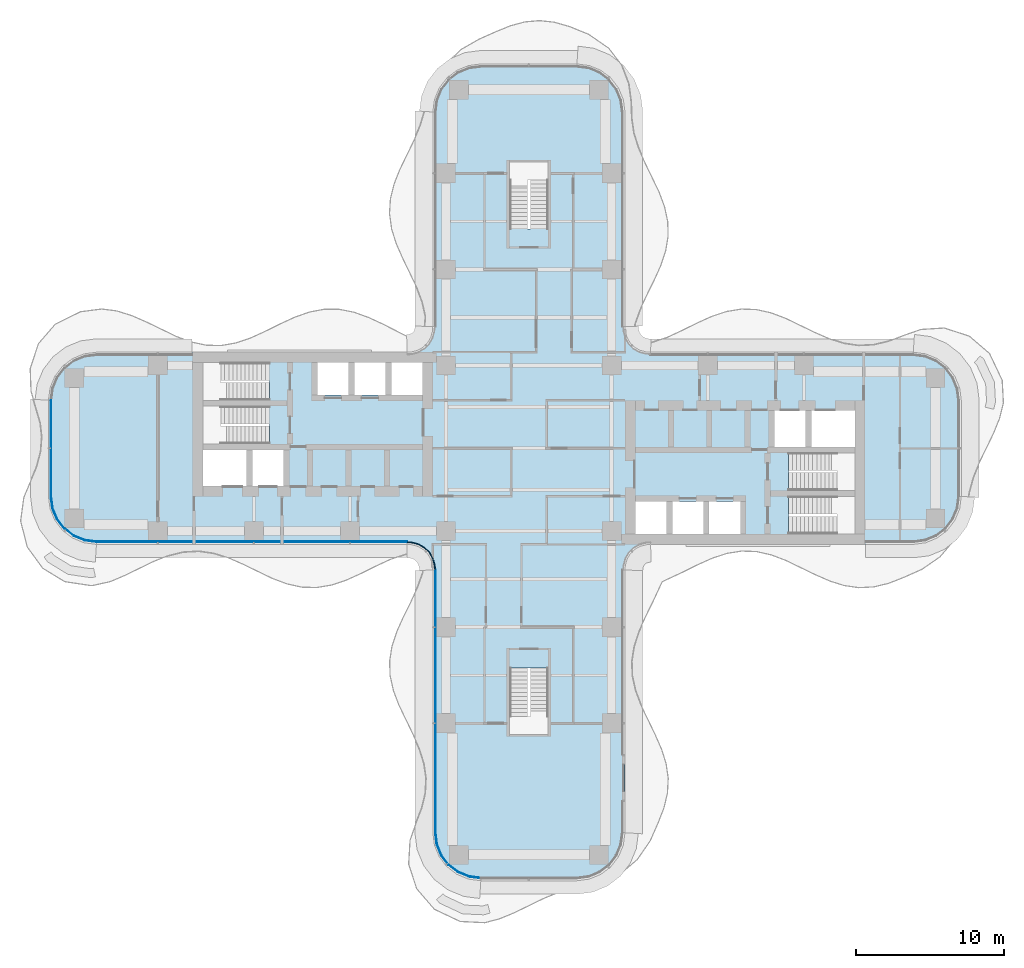
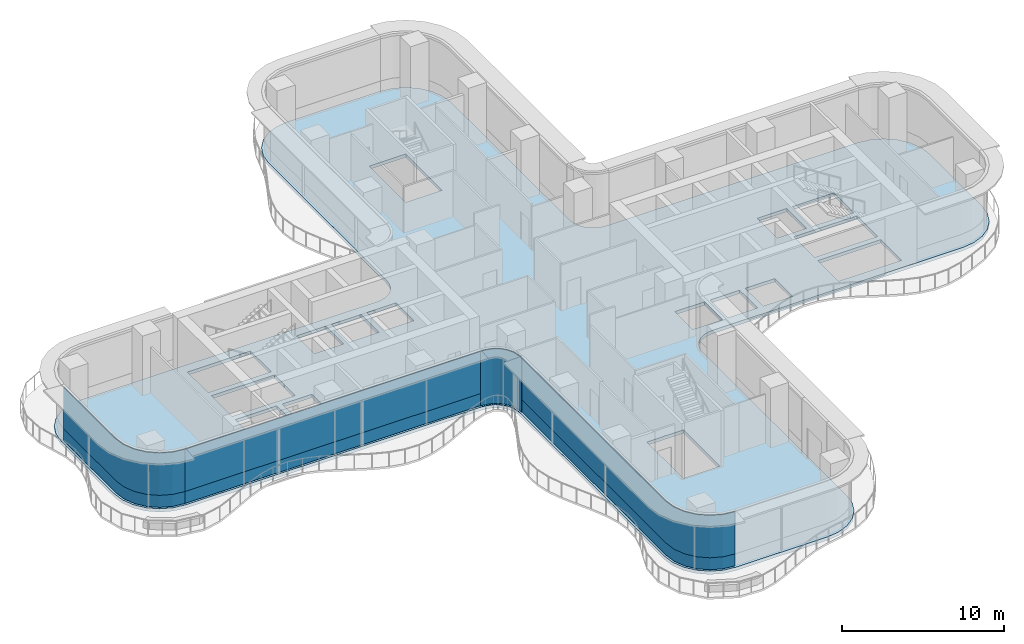
# One storey, part 13 of 21: 7 plates, 1 slab, 4 elements without a shape of their own.
"""IFC4 building model written with IfcOpenShell, lengths in metres."""

from ifc_helpers import new_model, si_unit, direction, frame, origin, place, context, subcontext, project, spatial, polyline, outline, extrude, source, transform, mapped, material, layer, layer_set, type_object, element, aggregate, save


model = new_model("IFC4")

# Units and contexts
model_context = context("Model", 3, precision=1e-05, world=origin(), true_north=direction((0.0, 1.0)))
body_context = subcontext(model_context, "Body", "Model", "MODEL_VIEW")
ifc_project = project(units=[si_unit("LENGTHUNIT", "METRE"), si_unit("AREAUNIT", "SQUARE_METRE"), si_unit("VOLUMEUNIT", "CUBIC_METRE"), si_unit("PLANEANGLEUNIT", "RADIAN"), si_unit("MASSUNIT", "GRAM", prefix="KILO")], contexts=[model_context])

# Site, building, storey
site_placement = place(None, origin())
site = spatial("IfcSite", under=ifc_project, at=site_placement, CompositionType="ELEMENT")
building_placement = place(site_placement, origin())
building = spatial("IfcBuilding", under=site, at=building_placement, Name="Trellis Farm Tower", CompositionType="ELEMENT")
storey_placement = place(building_placement, frame((0.0, 0.0, 106.5)))
storey = spatial("IfcBuildingStorey", under=building, at=storey_placement, Name="L22", CompositionType="ELEMENT", Elevation=106.5)

# Slab
ifc_material_1 = material(Name="Concrete C40/50", Category="concrete")
ifc_layer_1 = layer(ifc_material_1, 0.25)
ifc_layer_set_1 = layer_set([ifc_layer_1], Name="Composite deck floor slab 250")
slab_type = type_object("IfcSlabType", Name="Composite deck floor slab 250", PredefinedType="FLOOR", material=ifc_layer_set_1)
shared_shape_1 = source(origin(), body_context, "Body", "SweptSolid", [
    extrude(outline(polyline([(-30.09130859375, -6.389404296875), (-30.875, -6.064697265625), (-31.548095703125, -5.548095703125), (-32.064697265625, -4.875), (-32.389404296875, -4.09130859375), (-32.5, -3.25), (-32.5, 3.25), (-32.389404296875, 4.09130859375), (-32.064697265625, 4.875), (-31.548095703125, 5.548095703125), (-30.875, 6.064697265625), (-30.09130859375, 6.389404296875), (-29.25, 6.5), (-8.2314453125, 6.5), (-8.01953125, 6.513916015625), (-7.91552734375, 6.527587890625), (-7.508544921875, 6.63671875), (-7.144287109375, 6.846923828125), (-6.846923828125, 7.144287109375), (-6.63671875, 7.508544921875), (-6.527587890625, 7.91552734375), (-6.513916015625, 8.01953125), (-6.5, 8.2314453125), (-6.5, 22.75), (-6.389404296875, 23.59130859375), (-6.064697265625, 24.375), (-5.548095703125, 25.048095703125), (-4.875, 25.564697265625), (-4.09130859375, 25.889404296875), (-3.25, 26.0), (3.25, 26.0), (4.09130859375, 25.889404296875), (4.875, 25.564697265625), (5.548095703125, 25.048095703125), (6.064697265625, 24.375), (6.389404296875, 23.59130859375), (6.5, 22.75), (6.5, 8.2314453125), (6.513916015625, 8.01953125), (6.527587890625, 7.91552734375), (6.63671875, 7.508544921875), (6.846923828125, 7.144287109375), (7.144287109375, 6.846923828125), (7.508544921875, 6.63671875), (7.91552734375, 6.527587890625), (8.01953125, 6.513916015625), (8.2314453125, 6.5), (26.0, 6.5), (26.84130859375, 6.389404296875), (27.625, 6.064697265625), (28.298095703125, 5.548095703125), (28.814697265625, 4.875), (29.139404296875, 4.09130859375), (29.25, 3.25), (29.25, -3.25), (29.139404296875, -4.09130859375), (28.814697265625, -4.875), (28.298095703125, -5.548095703125), (27.625, -6.064697265625), (26.84130859375, -6.389404296875), (26.0, -6.5), (8.2314453125, -6.5), (8.01953125, -6.513916015625), (7.91552734375, -6.527587890625), (7.508544921875, -6.63671875), (7.144287109375, -6.846923828125), (6.846923828125, -7.144287109375), (6.63671875, -7.508544921875), (6.527587890625, -7.91552734375), (6.513916015625, -8.01953125), (6.5, -8.2314453125), (6.5, -26.0), (6.389404296875, -26.84130859375), (6.064697265625, -27.625), (5.548095703125, -28.298095703125), (4.875, -28.814697265625), (4.09130859375, -29.139404296875), (3.25, -29.25), (-3.25, -29.25), (-4.09130859375, -29.139404296875), (-4.875, -28.814697265625), (-5.548095703125, -28.298095703125), (-6.064697265625, -27.625), (-6.389404296875, -26.84130859375), (-6.5, -26.0), (-6.5, -8.2314453125), (-6.513916015625, -8.01953125), (-6.527587890625, -7.91552734375), (-6.63671875, -7.508544921875), (-6.846923828125, -7.144287109375), (-7.144287109375, -6.846923828125), (-7.508544921875, -6.63671875), (-7.91552734375, -6.527587890625), (-8.01953125, -6.513916015625), (-8.2314453125, -6.5), (-29.25, -6.5), (-30.09130859375, -6.389404296875)]), holes=[polyline([(-22.050048828125, -0.10009765625), (-22.050048828125, -2.550048828125), (-19.10009765625, -2.550048828125), (-19.10009765625, -0.10009765625), (-22.050048828125, -0.10009765625)]), polyline([(-18.699951171875, -0.10009765625), (-18.699951171875, -2.550048828125), (-16.60009765625, -2.550048828125), (-16.60009765625, -0.10009765625), (-18.699951171875, -0.10009765625)]), polyline([(-17.56201171875, 1.64990234375), (-17.56201171875, 2.85009765625), (-22.050048828125, 2.85009765625), (-22.050048828125, 0.300048828125), (-17.56005859375, 0.300048828125), (-17.56005859375, 1.5), (-17.550048828125, 1.5), (-17.550048828125, 1.64990234375), (-17.56201171875, 1.64990234375)]), polyline([(-17.56201171875, 4.60009765625), (-17.56201171875, 5.800048828125), (-22.050048828125, 5.800048828125), (-22.050048828125, 3.25), (-17.56005859375, 3.25), (-17.56005859375, 4.449951171875), (-17.550048828125, 4.449951171875), (-17.550048828125, 4.60009765625), (-17.56201171875, 4.60009765625)]), polyline([(-14.300048828125, 5.800048828125), (-14.300048828125, 3.60009765625), (-12.199951171875, 3.60009765625), (-12.199951171875, 5.800048828125), (-14.300048828125, 5.800048828125)]), polyline([(-11.800048828125, 5.800048828125), (-11.800048828125, 3.60009765625), (-9.699951171875, 3.60009765625), (-9.699951171875, 5.800048828125), (-11.800048828125, 5.800048828125)]), polyline([(-9.300048828125, 5.800048828125), (-9.300048828125, 3.60009765625), (-7.199951171875, 3.60009765625), (-7.199951171875, 5.800048828125), (-9.300048828125, 5.800048828125)]), polyline([(0.10009765625, 14.862060546875), (1.300048828125, 14.862060546875), (1.300048828125, 19.35009765625), (-1.300048828125, 19.35009765625), (-1.300048828125, 14.860107421875), (-0.10009765625, 14.860107421875), (-0.10009765625, 14.85009765625), (0.10009765625, 14.85009765625), (0.10009765625, 14.862060546875)]), polyline([(-0.10009765625, -14.862060546875), (-1.300048828125, -14.862060546875), (-1.300048828125, -19.35009765625), (1.300048828125, -19.35009765625), (1.300048828125, -14.860107421875), (0.10009765625, -14.860107421875), (0.10009765625, -14.85009765625), (-0.10009765625, -14.85009765625), (-0.10009765625, -14.862060546875)]), polyline([(9.300048828125, -5.800048828125), (9.300048828125, -3.60009765625), (7.199951171875, -3.60009765625), (7.199951171875, -5.800048828125), (9.300048828125, -5.800048828125)]), polyline([(11.800048828125, -5.800048828125), (11.800048828125, -3.60009765625), (9.699951171875, -3.60009765625), (9.699951171875, -5.800048828125), (11.800048828125, -5.800048828125)]), polyline([(14.300048828125, -5.800048828125), (14.300048828125, -3.60009765625), (12.199951171875, -3.60009765625), (12.199951171875, -5.800048828125), (14.300048828125, -5.800048828125)]), polyline([(17.56201171875, -4.60009765625), (17.56201171875, -5.800048828125), (22.050048828125, -5.800048828125), (22.050048828125, -3.25), (17.56005859375, -3.25), (17.56005859375, -4.449951171875), (17.550048828125, -4.449951171875), (17.550048828125, -4.60009765625), (17.56201171875, -4.60009765625)]), polyline([(17.56201171875, -1.64990234375), (17.56201171875, -2.85009765625), (22.050048828125, -2.85009765625), (22.050048828125, -0.300048828125), (17.56005859375, -0.300048828125), (17.56005859375, -1.5), (17.550048828125, -1.5), (17.550048828125, -1.64990234375), (17.56201171875, -1.64990234375)]), polyline([(18.699951171875, 0.10009765625), (18.699951171875, 2.550048828125), (16.60009765625, 2.550048828125), (16.60009765625, 0.10009765625), (18.699951171875, 0.10009765625)]), polyline([(22.050048828125, 0.10009765625), (22.050048828125, 2.550048828125), (19.10009765625, 2.550048828125), (19.10009765625, 0.10009765625), (22.050048828125, 0.10009765625)])]), origin(), (0.0, 0.0, 1.0), 0.25),
])
slab_placement = place(storey_placement, frame((0.0, 0.0, -0.25)))
element("IfcSlab", 1, at=slab_placement, inside=storey, type_object=slab_type, Name="Floor slab", PredefinedType="FLOOR", context=body_context, shape_type="MappedRepresentation", body=[
    mapped(shared_shape_1, transform((0.0, 0.0, 0.0))),
])

# Curtain wall, plates
ifc_material_2 = material(Name="Aluminium and glass curtain wall", Category="aluminium")
ifc_layer_2 = layer(ifc_material_2, 0.18994140625)
ifc_layer_set_2 = layer_set([ifc_layer_2], Name="RIBBON CURTAIN WALL CW1")
curtain_wall_type_1 = type_object("IfcCurtainWallType", Name="RIBBON CURTAIN WALL CW1", PredefinedType="NOTDEFINED", material=ifc_layer_set_2)
placement_1 = place(storey_placement, origin())
curtain_wall_1 = element("IfcCurtainWall", 2, at=placement_1, inside=storey, type_object=curtain_wall_type_1, Name="CW1 001", PredefinedType="NOTDEFINED")
ifc_material_3 = material(Name="Clear insulated glass", Category="glass")
ifc_layer_3 = layer(ifc_material_3, 0.0400390625)
ifc_layer_set_3 = layer_set([ifc_layer_3], Name="CW1 GLASS PANEL 40")
plate_type_1 = type_object("IfcPlateType", Name="CW1 GLASS PANEL 40", PredefinedType="CURTAIN_PANEL", material=ifc_layer_set_3)
shared_shape_2 = source(origin(), body_context, "Body", "SweptSolid", [
    extrude(outline(polyline([(-29.240234375, -6.35009765625), (-8.2265625, -6.35009765625), (-8.22509765625, -6.31005859375), (-29.237548828125, -6.31005859375), (-29.240234375, -6.35009765625)])), origin(), (0.0, 0.0, 1.0), 3.170166015625),
])
placement_2 = place(storey_placement, frame((0.0, 0.0, 0.89990234375)))
plate_1 = element("IfcPlate", 3, at=placement_2, type_object=plate_type_1, Name="PL1 001", PredefinedType="CURTAIN_PANEL", context=body_context, shape_type="MappedRepresentation", body=[
    mapped(shared_shape_2, transform((0.0, 0.0, 0.0))),
])
ifc_material_4 = material(Name="Sandstone faced insulated panel", Category="masonry")
ifc_layer_4 = layer(ifc_material_4, 0.050048828125)
ifc_layer_set_4 = layer_set([ifc_layer_4], Name="CW1 STONE SPANDREL PANEL 50")
plate_type_2 = type_object("IfcPlateType", Name="CW1 STONE SPANDREL PANEL 50", PredefinedType="CURTAIN_PANEL", material=ifc_layer_set_4)
shared_shape_3 = source(origin(), body_context, "Body", "SweptSolid", [
    extrude(outline(polyline([(-29.240234375, -6.35009765625), (-8.2265625, -6.35009765625), (-8.224853515625, -6.300048828125), (-29.23681640625, -6.300048828125), (-29.240234375, -6.35009765625)])), origin(), (0.0, 0.0, 1.0), 0.89990234375),
])
plate_2 = element("IfcPlate", 4, at=placement_1, type_object=plate_type_2, Name="PS1 001", PredefinedType="CURTAIN_PANEL", context=body_context, shape_type="MappedRepresentation", body=[
    mapped(shared_shape_3, transform((0.0, 0.0, 0.0))),
])
aggregate(curtain_wall_1, [plate_1, plate_2])

# Curtain wall, plate
ifc_layer_5 = layer(ifc_material_2, 0.166015625)
ifc_layer_set_5 = layer_set([ifc_layer_5], Name="WINTER GARDEN CURTAIN WALL CW3")
curtain_wall_type_2 = type_object("IfcCurtainWallType", Name="WINTER GARDEN CURTAIN WALL CW3", PredefinedType="NOTDEFINED", material=ifc_layer_set_5)
curtain_wall_2 = element("IfcCurtainWall", 5, at=placement_1, inside=storey, type_object=curtain_wall_type_2, Name="CW3 001", PredefinedType="NOTDEFINED")
ifc_layer_6 = layer(ifc_material_3, 0.0458984375)
ifc_layer_set_6 = layer_set([ifc_layer_6], Name="CW3 GLASS PANEL 46")
plate_type_3 = type_object("IfcPlateType", Name="CW3 GLASS PANEL 46", PredefinedType="CURTAIN_PANEL", material=ifc_layer_set_6)
shared_shape_4 = source(origin(), body_context, "Body", "SweptSolid", [
    extrude(outline(polyline([(-8.2275390625, -6.3798828125), (-8.0078125, -6.394287109375), (-7.89208984375, -6.40966796875), (-7.462158203125, -6.52490234375), (-7.070556640625, -6.7509765625), (-6.7509765625, -7.070556640625), (-6.52490234375, -7.462158203125), (-6.40966796875, -7.89208984375), (-6.394287109375, -8.0078125), (-6.3798828125, -8.2275390625), (-6.333984375, -8.22607421875), (-6.3486328125, -8.003173828125), (-6.364501953125, -7.883056640625), (-6.48193359375, -7.4443359375), (-6.714111328125, -7.04248046875), (-7.04248046875, -6.714111328125), (-7.4443359375, -6.48193359375), (-7.883056640625, -6.364501953125), (-8.003173828125, -6.3486328125), (-8.22607421875, -6.333984375), (-8.2275390625, -6.3798828125)])), origin(), (0.0, 0.0, 1.0), 4.10009765625),
])
plate_3 = element("IfcPlate", 6, at=placement_1, type_object=plate_type_3, Name="PL3 001", PredefinedType="CURTAIN_PANEL", context=body_context, shape_type="MappedRepresentation", body=[
    mapped(shared_shape_4, transform((0.0, 0.0, 0.0))),
])
aggregate(curtain_wall_2, [plate_3])

# Curtain wall, plates
curtain_wall_3 = element("IfcCurtainWall", 7, at=placement_1, inside=storey, type_object=curtain_wall_type_1, Name="CW1 002", PredefinedType="NOTDEFINED")
shared_shape_5 = source(origin(), body_context, "Body", "SweptSolid", [
    extrude(outline(polyline([(-6.35009765625, -8.2265625), (-6.35009765625, -25.990234375), (-6.2431640625, -26.802001953125), (-5.93359375, -27.54931640625), (-5.441162109375, -28.191162109375), (-4.79931640625, -28.68359375), (-4.052001953125, -28.9931640625), (-3.240234375, -29.10009765625), (-3.237548828125, -29.06005859375), (-4.04150390625, -28.9541015625), (-4.779296875, -28.648681640625), (-5.41259765625, -28.16259765625), (-5.898681640625, -27.529296875), (-6.2041015625, -26.79150390625), (-6.31005859375, -25.987548828125), (-6.31005859375, -8.22509765625), (-6.35009765625, -8.2265625)])), origin(), (0.0, 0.0, 1.0), 3.170166015625),
])
plate_4 = element("IfcPlate", 8, at=placement_2, type_object=plate_type_1, Name="PL1 002", PredefinedType="CURTAIN_PANEL", context=body_context, shape_type="MappedRepresentation", body=[
    mapped(shared_shape_5, transform((0.0, 0.0, 0.0))),
])
shared_shape_6 = source(origin(), body_context, "Body", "SweptSolid", [
    extrude(outline(polyline([(-6.35009765625, -8.2265625), (-6.35009765625, -25.990234375), (-6.2431640625, -26.802001953125), (-5.93359375, -27.54931640625), (-5.441162109375, -28.191162109375), (-4.79931640625, -28.68359375), (-4.052001953125, -28.9931640625), (-3.240234375, -29.10009765625), (-3.23681640625, -29.050048828125), (-4.0390625, -28.9443359375), (-4.774169921875, -28.639892578125), (-5.405517578125, -28.155517578125), (-5.889892578125, -27.524169921875), (-6.1943359375, -26.7890625), (-6.300048828125, -25.98681640625), (-6.300048828125, -8.224853515625), (-6.35009765625, -8.2265625)])), origin(), (0.0, 0.0, 1.0), 0.89990234375),
])
plate_5 = element("IfcPlate", 9, at=placement_1, type_object=plate_type_2, Name="PS1 002", PredefinedType="CURTAIN_PANEL", context=body_context, shape_type="MappedRepresentation", body=[
    mapped(shared_shape_6, transform((0.0, 0.0, 0.0))),
])
aggregate(curtain_wall_3, [plate_4, plate_5])

curtain_wall_4 = element("IfcCurtainWall", 10, at=placement_1, inside=storey, type_object=curtain_wall_type_1, Name="CW1 013", PredefinedType="NOTDEFINED")
shared_shape_7 = source(origin(), body_context, "Body", "SweptSolid", [
    extrude(outline(polyline([(-32.35009765625, 3.240234375), (-32.35009765625, -3.240234375), (-32.2431640625, -4.052001953125), (-31.93359375, -4.79931640625), (-31.441162109375, -5.441162109375), (-30.79931640625, -5.93359375), (-30.052001953125, -6.2431640625), (-29.240234375, -6.35009765625), (-29.237548828125, -6.31005859375), (-30.04150390625, -6.2041015625), (-30.779296875, -5.898681640625), (-31.41259765625, -5.41259765625), (-31.898681640625, -4.779296875), (-32.2041015625, -4.04150390625), (-32.31005859375, -3.237548828125), (-32.31005859375, 3.237548828125), (-32.35009765625, 3.240234375)])), origin(), (0.0, 0.0, 1.0), 3.170166015625),
])
plate_6 = element("IfcPlate", 11, at=placement_2, type_object=plate_type_1, Name="PL1 013", PredefinedType="CURTAIN_PANEL", context=body_context, shape_type="MappedRepresentation", body=[
    mapped(shared_shape_7, transform((0.0, 0.0, 0.0))),
])
shared_shape_8 = source(origin(), body_context, "Body", "SweptSolid", [
    extrude(outline(polyline([(-32.35009765625, 3.240234375), (-32.35009765625, -3.240234375), (-32.2431640625, -4.052001953125), (-31.93359375, -4.79931640625), (-31.441162109375, -5.441162109375), (-30.79931640625, -5.93359375), (-30.052001953125, -6.2431640625), (-29.240234375, -6.35009765625), (-29.23681640625, -6.300048828125), (-30.0390625, -6.1943359375), (-30.774169921875, -5.889892578125), (-31.405517578125, -5.405517578125), (-31.889892578125, -4.774169921875), (-32.1943359375, -4.0390625), (-32.300048828125, -3.23681640625), (-32.300048828125, 3.23681640625), (-32.35009765625, 3.240234375)])), origin(), (0.0, 0.0, 1.0), 0.89990234375),
])
plate_7 = element("IfcPlate", 12, at=placement_1, type_object=plate_type_2, Name="PS1 013", PredefinedType="CURTAIN_PANEL", context=body_context, shape_type="MappedRepresentation", body=[
    mapped(shared_shape_8, transform((0.0, 0.0, 0.0))),
])
aggregate(curtain_wall_4, [plate_6, plate_7])

save(model, "model.ifc")
